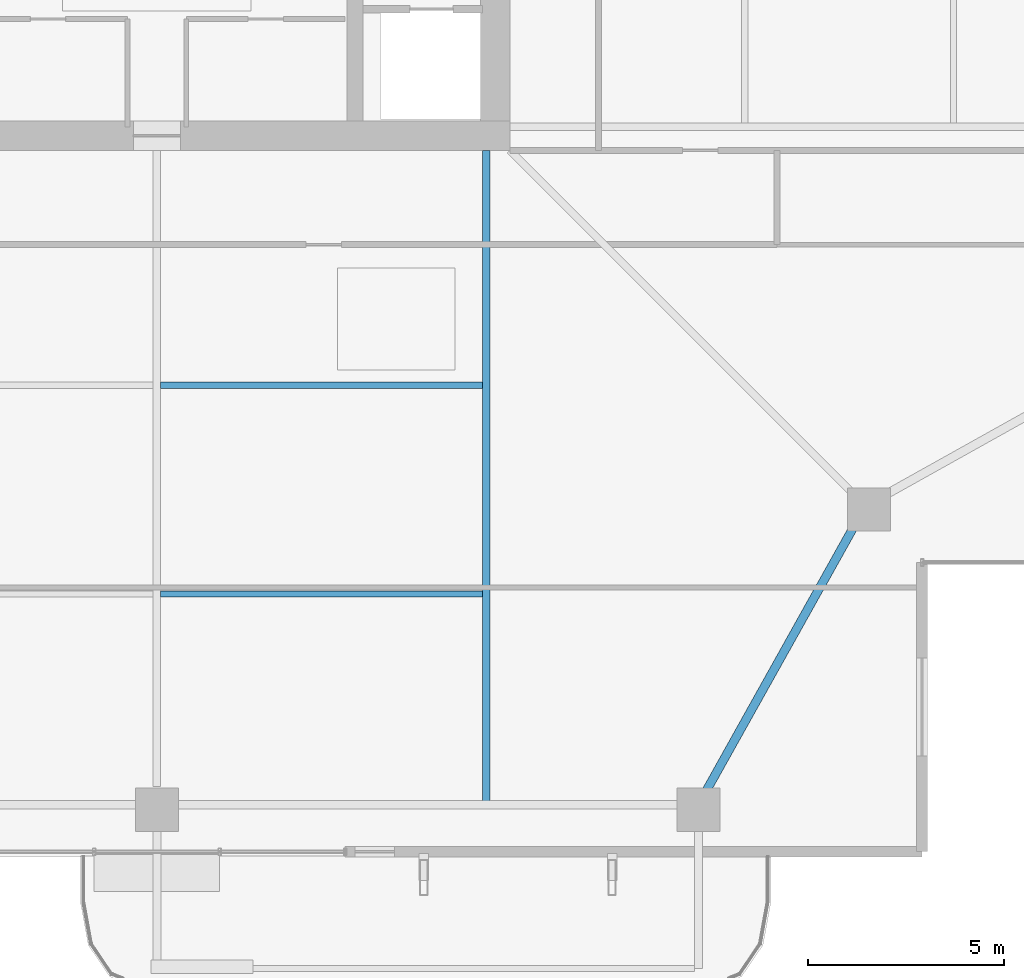
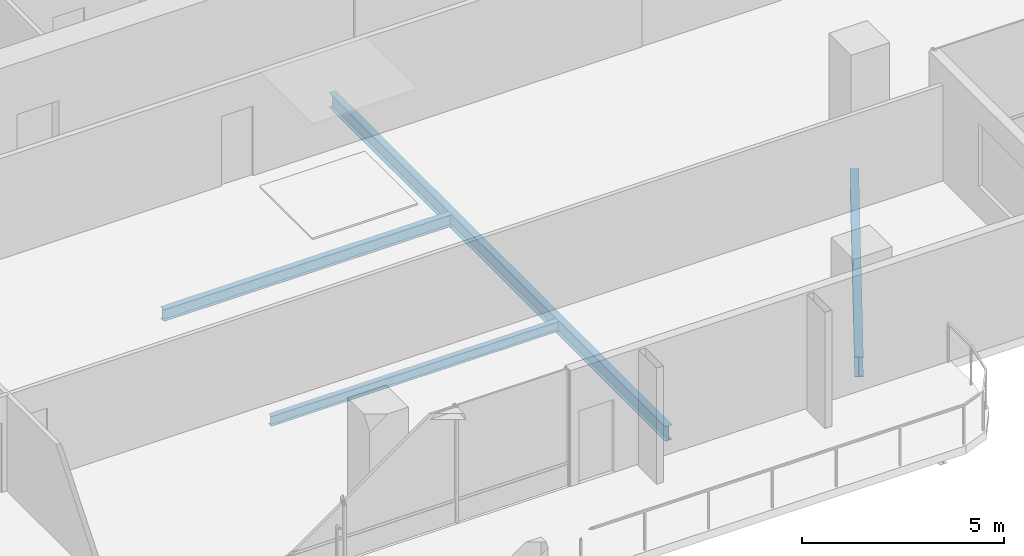
# One storey, part 8 of 29: 4 beams.
"""IFC4 building model written with IfcOpenShell, lengths in metres."""

from ifc_helpers import new_model, si_unit, direction, frame, origin, origin_2d, place, context, subcontext, project, spatial, i_section, extrude, material, material_profile, profile_set, type_object, element, save


model = new_model("IFC4")

# Units and contexts
model_context = context("Model", 3, precision=1e-05, world=origin(), true_north=direction((0.0, 1.0)))
body_context = subcontext(model_context, "Body", "Model", "MODEL_VIEW")
ifc_project = project(units=[si_unit("LENGTHUNIT", "METRE"), si_unit("AREAUNIT", "SQUARE_METRE"), si_unit("VOLUMEUNIT", "CUBIC_METRE"), si_unit("PLANEANGLEUNIT", "RADIAN"), si_unit("MASSUNIT", "GRAM", prefix="KILO")], contexts=[model_context])

# Site, building, storey
site_placement = place(None, origin())
site = spatial("IfcSite", under=ifc_project, at=site_placement, CompositionType="ELEMENT")
building_placement = place(site_placement, origin())
building = spatial("IfcBuilding", under=site, at=building_placement, Name="Belovzor Exchange Tower", CompositionType="ELEMENT")
storey_placement = place(building_placement, frame((0.0, 0.0, 199.949951171875)))
storey = spatial("IfcBuildingStorey", under=building, at=storey_placement, Name="L49", CompositionType="ELEMENT", Elevation=199.949951171875)

# Beams
ifc_material_1 = material(Name="Steel S355", Category="steel")
ifc_material_profile_1 = material_profile(ifc_material_1, i_section(OverallWidth=0.169921875, OverallDepth=0.360107421875, WebThickness=0.008056640625, FlangeThickness=0.0126953125, at=origin_2d()))
ifc_profile_set_1 = profile_set([ifc_material_profile_1], Name="Steel S355")
beam_type_1 = type_object("IfcBeamType", Name="Secondary Infill Floor Joist IPE 360", PredefinedType="BEAM", material=ifc_profile_set_1)
beam_1_placement = place(storey_placement, frame((28.89501953125, 13.81591796875, -0.429931640625), z_axis=(1.0, 0.0, 0.0), x_axis=(0.0, 1.0, 0.0)))
element("IfcBeam", 1, at=beam_1_placement, inside=storey, type_object=beam_type_1, Name="FJ-360 Secondary Infill Floor Joist IPE 360", PredefinedType="BEAM", context=body_context, shape_type="SweptSolid", body=[
    extrude(i_section(OverallWidth=0.169921875, OverallDepth=0.360107421875, WebThickness=0.008056640625, FlangeThickness=0.0126953125, at=origin_2d()), origin(), (0.0, 0.0, 1.0), 8.2099609375),
])
ifc_material_2 = material(Name="Steel S355", Category="steel")
ifc_material_profile_2 = material_profile(ifc_material_2, i_section(OverallWidth=0.14990234375, OverallDepth=0.300048828125, WebThickness=0.007080078125, FlangeThickness=0.0107421875, at=origin_2d()))
ifc_profile_set_2 = profile_set([ifc_material_profile_2], Name="Steel S355")
beam_type_2 = type_object("IfcBeamType", Name="Secondary Trim Floor Joist IPE 300", PredefinedType="BEAM", material=ifc_profile_set_2)
beam_2_placement = place(storey_placement, frame((28.89501953125, 8.49609375, -0.39990234375), z_axis=(1.0, 0.0, 0.0), x_axis=(0.0, 1.0, 0.0)))
element("IfcBeam", 2, at=beam_2_placement, inside=storey, type_object=beam_type_2, Name="FJ-300 Secondary Trim Floor Joist IPE 300", PredefinedType="BEAM", context=body_context, shape_type="SweptSolid", body=[
    extrude(i_section(OverallWidth=0.14990234375, OverallDepth=0.300048828125, WebThickness=0.007080078125, FlangeThickness=0.0107421875, at=origin_2d()), origin(), (0.0, 0.0, 1.0), 8.2099609375),
])
ifc_material_3 = material(Name="Steel S355", Category="steel")
ifc_material_profile_3 = material_profile(ifc_material_3, i_section(OverallWidth=0.18994140625, OverallDepth=0.449951171875, WebThickness=0.009521484375, FlangeThickness=0.0146484375, at=origin_2d()))
ifc_profile_set_3 = profile_set([ifc_material_profile_3], Name="Steel S355")
beam_type_3 = type_object("IfcBeamType", Name="Zone 2-4 Radial Composite Floor Beam IPE 450", PredefinedType="BEAM", material=ifc_profile_set_3)
beam_3_placement = place(storey_placement, frame((37.199951171875, 19.800048828125, -0.474853515625), z_axis=(0.0, -1.0, 0.0), x_axis=(1.0, 0.0, 0.0)))
element("IfcBeam", 3, at=beam_3_placement, inside=storey, type_object=beam_type_3, Name="FB-450 Zone 2-4 Radial Composite Floor Beam IPE 450", PredefinedType="BEAM", context=body_context, shape_type="SweptSolid", body=[
    extrude(i_section(OverallWidth=0.18994140625, OverallDepth=0.449951171875, WebThickness=0.009521484375, FlangeThickness=0.0146484375, at=origin_2d()), origin(), (0.0, 0.0, 1.0), 16.623046875),
])
ifc_material_4 = material(Name="Steel S355", Category="steel")
ifc_material_profile_4 = material_profile(ifc_material_4, i_section(OverallWidth=0.219970703125, OverallDepth=0.60009765625, WebThickness=0.011962890625, FlangeThickness=0.01904296875, at=origin_2d()))
ifc_profile_set_4 = profile_set([ifc_material_profile_4], Name="Steel S355")
beam_type_4 = type_object("IfcBeamType", Name="Zone 4 Flare Primary Girder IPE 600", PredefinedType="BEAM", material=ifc_profile_set_4)
beam_4_placement = place(storey_placement, frame((42.748046875, 3.385986328125, -0.550048828125), z_axis=(0.487700784244, 0.873010850475, 0.0), x_axis=(-0.873010850475, 0.487700784244, 0.0)))
element("IfcBeam", 4, at=beam_4_placement, inside=storey, type_object=beam_type_4, Name="FG-Z4 Zone 4 Flare Primary Girder IPE 600", PredefinedType="BEAM", context=body_context, shape_type="SweptSolid", body=[
    extrude(i_section(OverallWidth=0.219970703125, OverallDepth=0.60009765625, WebThickness=0.011962890625, FlangeThickness=0.01904296875, at=origin_2d()), origin(), (0.0, 0.0, 1.0), 8.123779296875),
])

save(model, "model.ifc")
